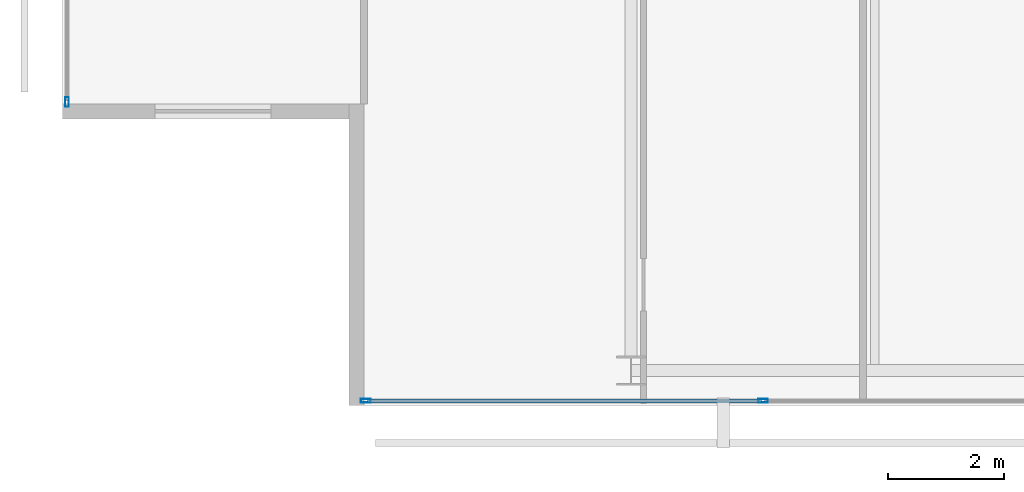
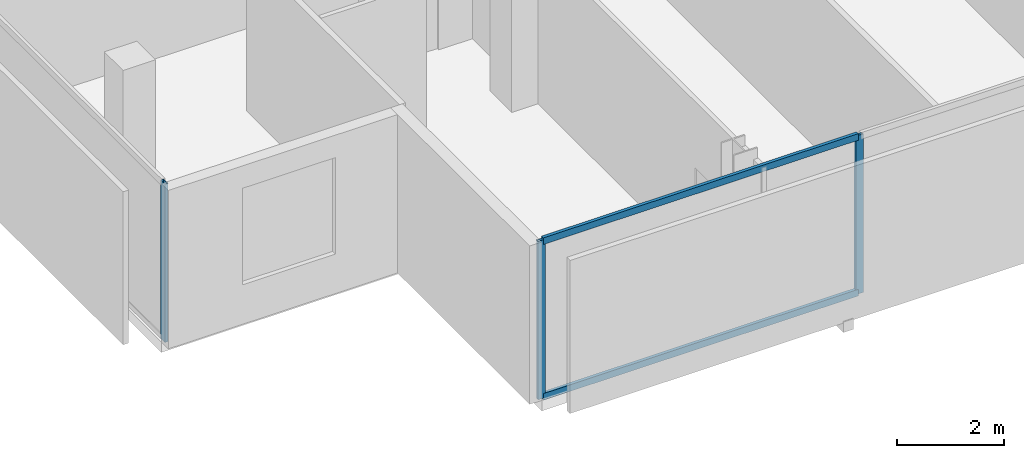
# One storey, part 2 of 26: 5 members, 2 elements without a shape of their own.
"""IFC4 building model written with IfcOpenShell, lengths in metres."""

from ifc_helpers import new_model, si_unit, direction, frame, origin, origin_2d, place, context, subcontext, project, spatial, hollow_rectangle, extrude, material, layer, layer_set, material_profile, profile_set, type_object, element, aggregate, save


model = new_model("IFC4")

# Units and contexts
model_context = context("Model", 3, precision=1e-05, world=origin(), true_north=direction((0.0, 1.0)))
body_context = subcontext(model_context, "Body", "Model", "MODEL_VIEW")
ifc_project = project(units=[si_unit("LENGTHUNIT", "METRE"), si_unit("AREAUNIT", "SQUARE_METRE"), si_unit("VOLUMEUNIT", "CUBIC_METRE"), si_unit("PLANEANGLEUNIT", "RADIAN"), si_unit("MASSUNIT", "GRAM", prefix="KILO")], contexts=[model_context])

# Site, building, storey
site_placement = place(None, origin())
site = spatial("IfcSite", under=ifc_project, at=site_placement, CompositionType="ELEMENT")
building_placement = place(site_placement, origin())
building = spatial("IfcBuilding", under=site, at=building_placement, Name="Maruvema Waterfront Hotel and Observation Tower", CompositionType="ELEMENT")
storey_placement = place(building_placement, frame((0.0, 0.0, 254.800048828125)))
storey = spatial("IfcBuildingStorey", under=building, at=storey_placement, Name="L62", CompositionType="ELEMENT", Elevation=254.800048828125)

# Curtain wall, members
ifc_material_1 = material(Name="Anodised bronze aluminium and solar-control low-E IGU", Category="aluminium")
ifc_layer = layer(ifc_material_1, 0.159912109375, Name="Zone 3 Champagne Inner Thermal Curtain Wall System CW-04")
ifc_layer_set = layer_set([ifc_layer], Name="Anodised bronze aluminium and solar-control low-E IGU")
curtain_wall_type = type_object("IfcCurtainWallType", Name="Zone 3 Champagne Inner Thermal Curtain Wall System CW-04", PredefinedType="USERDEFINED", material=ifc_layer_set)
curtain_wall_1_placement = place(storey_placement, origin())
curtain_wall_1 = element("IfcCurtainWall", 1, at=curtain_wall_1_placement, inside=storey, type_object=curtain_wall_type, Name="L62 Curtain Wall CW-L62-S", ObjectType="UNITISED CURTAIN WALL", PredefinedType="USERDEFINED")
ifc_material_2 = material(Name="Anodised architectural bronze aluminium", Category="aluminium")
ifc_material_profile_1 = material_profile(ifc_material_2, hollow_rectangle(XDim=0.070068359375, YDim=0.14990234375, WallThickness=0.00390625, at=origin_2d()), Name="ALU-T70x150")
ifc_profile_set_1 = profile_set([ifc_material_profile_1], Name="Anodised architectural bronze aluminium")
member_type_1 = type_object("IfcMemberType", Name="Curtain Wall Horizontal Transom ALU-T70x150", PredefinedType="USERDEFINED", material=ifc_profile_set_1)
member_1_placement = place(storey_placement, frame((20.659912109375, 9.280029296875, 0.030029296875), z_axis=(1.0, 0.0, 0.0), x_axis=(0.0, 1.0, 0.0)))
member_1 = element("IfcMember", 2, at=member_1_placement, type_object=member_type_1, Name="CW-04 transom 1.1", ObjectType="TRANSOM", PredefinedType="USERDEFINED", context=body_context, shape_type="SweptSolid", body=[
    extrude(hollow_rectangle(XDim=0.070068359375, YDim=0.14990234375, WallThickness=0.00390625, at=origin_2d()), origin(), (0.0, 0.0, 1.0), 6.7900390625),
])
member_2_placement = place(storey_placement, frame((20.659912109375, 9.280029296875, 3.579833984375), z_axis=(1.0, 0.0, 0.0), x_axis=(0.0, 1.0, 0.0)))
member_2 = element("IfcMember", 3, at=member_2_placement, type_object=member_type_1, Name="CW-04 transom 1.2", ObjectType="TRANSOM", PredefinedType="USERDEFINED", context=body_context, shape_type="SweptSolid", body=[
    extrude(hollow_rectangle(XDim=0.070068359375, YDim=0.14990234375, WallThickness=0.00390625, at=origin_2d()), origin(), (0.0, 0.0, 1.0), 6.7900390625),
])
ifc_material_3 = material(Name="Anodised architectural bronze aluminium", Category="aluminium")
ifc_material_profile_2 = material_profile(ifc_material_3, hollow_rectangle(XDim=0.06494140625, YDim=0.1650390625, WallThickness=0.00390625, at=origin_2d()), Name="ALU-M65x165")
ifc_profile_set_2 = profile_set([ifc_material_profile_2], Name="Anodised architectural bronze aluminium")
member_type_2 = type_object("IfcMemberType", Name="Curtain Wall Primary Mullion ALU-M65x165", PredefinedType="MULLION", material=ifc_profile_set_2)
member_3_placement = place(storey_placement, frame((20.6298828125, 9.280029296875, 0.0), z_axis=(0.0, 0.0, 1.0), x_axis=(0.0, 1.0, 0.0)))
member_3 = element("IfcMember", 4, at=member_3_placement, type_object=member_type_2, Name="CW-04 mullion 1", PredefinedType="MULLION", context=body_context, shape_type="SweptSolid", body=[
    extrude(hollow_rectangle(XDim=0.06494140625, YDim=0.1650390625, WallThickness=0.00390625, at=origin_2d()), origin(), (0.0, 0.0, 1.0), 3.60986328125),
])
member_4_placement = place(storey_placement, frame((27.47998046875, 9.280029296875, 0.0), z_axis=(0.0, 0.0, 1.0), x_axis=(0.0, 1.0, 0.0)))
member_4 = element("IfcMember", 5, at=member_4_placement, type_object=member_type_2, Name="CW-04 mullion 2", PredefinedType="MULLION", context=body_context, shape_type="SweptSolid", body=[
    extrude(hollow_rectangle(XDim=0.06494140625, YDim=0.1650390625, WallThickness=0.00390625, at=origin_2d()), origin(), (0.0, 0.0, 1.0), 3.60986328125),
])
aggregate(curtain_wall_1, [member_3, member_4, member_1, member_2])

# Curtain wall, member
curtain_wall_2_placement = place(storey_placement, origin())
curtain_wall_2 = element("IfcCurtainWall", 6, at=curtain_wall_2_placement, inside=storey, type_object=curtain_wall_type, Name="L62 Curtain Wall CW-L62-W", ObjectType="UNITISED CURTAIN WALL", PredefinedType="USERDEFINED")
member_5_placement = place(storey_placement, frame((15.47998046875, 14.429931640625, 0.0), z_axis=(0.0, 0.0, 1.0), x_axis=(1.0, 0.0, 0.0)))
member_5 = element("IfcMember", 7, at=member_5_placement, type_object=member_type_2, Name="CW-04 mullion 6", PredefinedType="MULLION", context=body_context, shape_type="SweptSolid", body=[
    extrude(hollow_rectangle(XDim=0.06494140625, YDim=0.1650390625, WallThickness=0.00390625, at=origin_2d()), origin(), (0.0, 0.0, 1.0), 3.60986328125),
])
aggregate(curtain_wall_2, [member_5])

save(model, "model.ifc")
